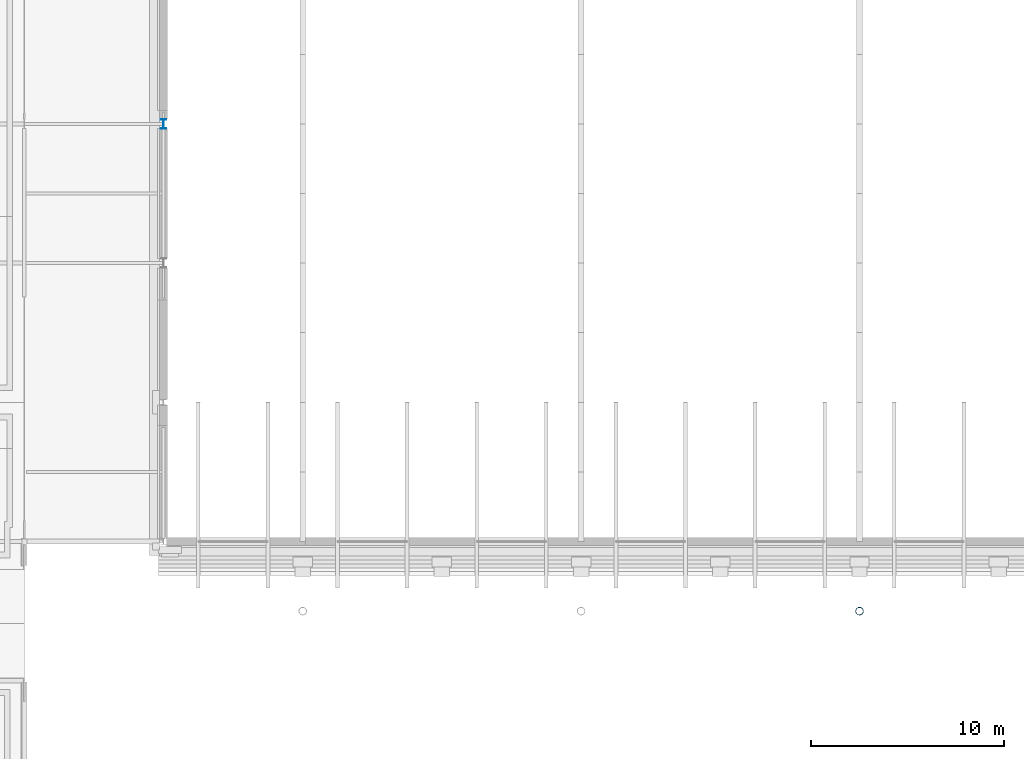
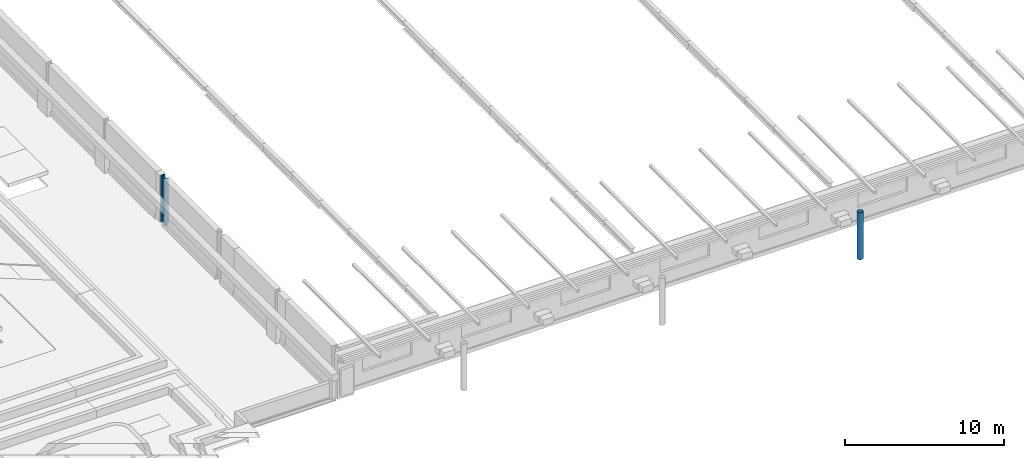
# One storey, part 4 of 110: 2 columns.
"""IFC4 building model written with IfcOpenShell, lengths in metres."""

from ifc_helpers import new_model, si_unit, direction, frame, origin, origin_2d, place, context, subcontext, project, spatial, hollow_circle, i_section, extrude, material, material_profile, profile_set, type_object, element, save


model = new_model("IFC4")

# Units and contexts
model_context = context("Model", 3, precision=1e-05, world=origin(), true_north=direction((0.0, 1.0)))
body_context = subcontext(model_context, "Body", "Model", "MODEL_VIEW")
ifc_project = project(units=[si_unit("LENGTHUNIT", "METRE"), si_unit("AREAUNIT", "SQUARE_METRE"), si_unit("VOLUMEUNIT", "CUBIC_METRE"), si_unit("PLANEANGLEUNIT", "RADIAN"), si_unit("MASSUNIT", "GRAM", prefix="KILO")], contexts=[model_context])

# Site, building, storey
site_placement = place(None, origin())
site = spatial("IfcSite", under=ifc_project, at=site_placement, CompositionType="ELEMENT")
building_placement = place(site_placement, origin())
building = spatial("IfcBuilding", under=site, at=building_placement, Name="Kupolbacken Congress Centre", CompositionType="ELEMENT")
storey_placement = place(building_placement, frame((0.0, 0.0, 18.0)))
storey = spatial("IfcBuildingStorey", under=building, at=storey_placement, Name="L05", CompositionType="ELEMENT", Elevation=18.0)

# Columns
ifc_material_1 = material(Name="Steel S355", Category="steel")
ifc_material_profile_1 = material_profile(ifc_material_1, i_section(OverallWidth=0.300048828125, OverallDepth=0.489990234375, WebThickness=0.011962890625, FlangeThickness=0.02294921875, FilletRadius=0.027099609375, at=origin_2d()), Name="HEA 500")
ifc_profile_set_1 = profile_set([ifc_material_profile_1], Name="Steel S355")
column_type_1 = type_object("IfcColumnType", Name="C14 column HEA 500", PredefinedType="COLUMN", material=ifc_profile_set_1)
column_1_placement = place(storey_placement, frame((86.39990234375, 64.800048828125, 0.0), z_axis=(0.0, 0.0, 1.0), x_axis=(1.0, 0.0, 0.0)))
element("IfcColumn", 1, at=column_1_placement, inside=storey, type_object=column_type_1, Name="S/col/C-H-PW04/L05", PredefinedType="COLUMN", context=body_context, shape_type="SweptSolid", body=[
    extrude(i_section(OverallWidth=0.300048828125, OverallDepth=0.489990234375, WebThickness=0.011962890625, FlangeThickness=0.02294921875, FilletRadius=0.027099609375, at=origin_2d()), origin(), (0.0, 0.0, 1.0), 3.60009765625),
])
ifc_material_2 = material(Name="Steel S355", Category="steel")
ifc_material_profile_2 = material_profile(ifc_material_2, hollow_circle(Radius=0.203125, WallThickness=0.01611328125, at=origin_2d()), Name="CHS 406.4 x 16")
ifc_profile_set_2 = profile_set([ifc_material_profile_2], Name="Steel S355")
column_type_2 = type_object("IfcColumnType", Name="C15 roof mast CHS 406.4 x 16", PredefinedType="COLUMN", material=ifc_profile_set_2)
column_2_placement = place(storey_placement, frame((122.39990234375, 39.60009765625, 0.0), z_axis=(0.0, 0.0, 1.0), x_axis=(1.0, 0.0, 0.0)))
element("IfcColumn", 2, at=column_2_placement, inside=storey, type_object=column_type_2, Name="Roof mast M3S", PredefinedType="COLUMN", context=body_context, shape_type="SweptSolid", body=[
    extrude(hollow_circle(Radius=0.203125, WallThickness=0.01611328125, at=origin_2d()), origin(), (0.0, 0.0, 1.0), 3.60009765625),
])

save(model, "model.ifc")
